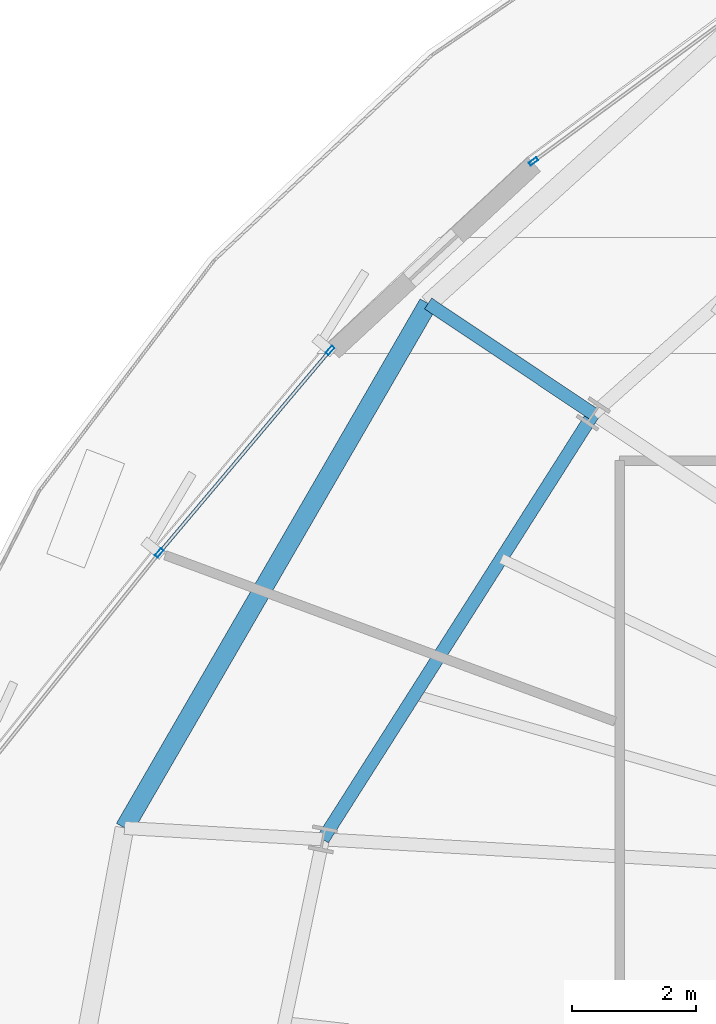
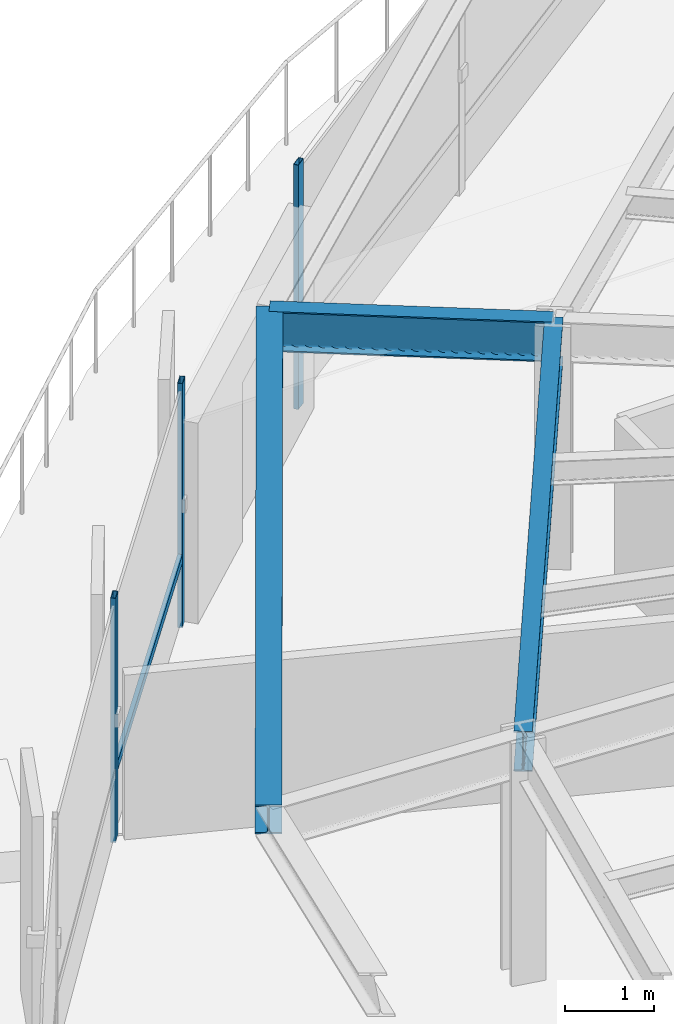
# One storey, part 18 of 35: 4 members, 3 beams, 2 elements without a shape of their own.
"""IFC4 building model written with IfcOpenShell, lengths in metres."""

from ifc_helpers import new_model, si_unit, direction, frame, origin, origin_2d, place, context, subcontext, project, spatial, hollow_rectangle, i_section, extrude, source, transform, mapped, material, layer, layer_set, material_profile, profile_set, type_object, element, aggregate, save


model = new_model("IFC4")

# Units and contexts
model_context = context("Model", 3, precision=1e-05, world=origin(), true_north=direction((0.0, 1.0)))
body_context = subcontext(model_context, "Body", "Model", "MODEL_VIEW")
ifc_project = project(units=[si_unit("LENGTHUNIT", "METRE"), si_unit("AREAUNIT", "SQUARE_METRE"), si_unit("VOLUMEUNIT", "CUBIC_METRE"), si_unit("PLANEANGLEUNIT", "RADIAN"), si_unit("MASSUNIT", "GRAM", prefix="KILO"), si_unit("THERMODYNAMICTEMPERATUREUNIT", "KELVIN")], contexts=[model_context])

# Site, building, storey
site_placement = place(None, origin())
site = spatial("IfcSite", under=ifc_project, at=site_placement, CompositionType="ELEMENT")
building_placement = place(site_placement, origin())
building = spatial("IfcBuilding", under=site, at=building_placement, Name="Kethvar Cultural Tower", CompositionType="ELEMENT")
storey_placement = place(building_placement, frame((0.0, 0.0, 89.199951171875)))
storey = spatial("IfcBuildingStorey", under=building, at=storey_placement, Name="L21", CompositionType="ELEMENT", Elevation=89.199951171875)

# Beams
ifc_material_1 = material(Name="Steel S355J2", Category="steel")
ifc_material_profile_1 = material_profile(ifc_material_1, i_section(OverallWidth=0.2099609375, OverallDepth=0.550048828125, WebThickness=0.010986328125, FlangeThickness=0.01708984375, FilletRadius=0.02392578125, at=origin_2d()), Name="Steel S355J2 — IPE550")
ifc_profile_set_1 = profile_set([ifc_material_profile_1], Name="Steel S355J2 — IPE550")
beam_type_1 = type_object("IfcBeamType", Name="BM-IPE550", PredefinedType="BEAM", material=ifc_profile_set_1)
shared_shape_1 = source(origin(), body_context, "Body", "SweptSolid", [
    extrude(i_section(OverallWidth=0.2099609375, OverallDepth=0.550048828125, WebThickness=0.010986328125, FlangeThickness=0.01708984375, FilletRadius=0.02392578125, at=origin_2d()), origin(), (0.0, 0.0, 1.0), 3.199951171875),
])
beam_1_placement = place(storey_placement, frame((30.345947265625, 38.794189453125, 3.072998046875), z_axis=(-0.831462943996, 0.555580212716, 0.0), x_axis=(-0.555580212716, -0.831462943996, 0.0)))
element("IfcBeam", 1, at=beam_1_placement, inside=storey, type_object=beam_type_1, Name="L21 Perimeter Cantilever Beam RC-07", PredefinedType="BEAM", context=body_context, shape_type="MappedRepresentation", body=[
    mapped(shared_shape_1, transform((0.0, 0.0, 0.0), scale=1.0)),
])
shared_shape_2 = source(origin(), body_context, "Body", "SweptSolid", [
    extrude(i_section(OverallWidth=0.2099609375, OverallDepth=0.550048828125, WebThickness=0.010986328125, FlangeThickness=0.01708984375, FilletRadius=0.02392578125, at=origin_2d()), origin(), (0.0, 0.0, 1.0), 8.122314453125),
])
beam_2_placement = place(storey_placement, frame((30.345947265625, 38.794189453125, 3.072998046875), z_axis=(-0.536478664647, -0.843913883272, 0.0), x_axis=(0.843913883272, -0.536478664647, 0.0)))
element("IfcBeam", 2, at=beam_2_placement, inside=storey, type_object=beam_type_1, Name="L21 Column Ring Tie Beam CR-07", PredefinedType="BEAM", context=body_context, shape_type="MappedRepresentation", body=[
    mapped(shared_shape_2, transform((0.0, 0.0, 0.0), scale=1.0)),
])
ifc_material_profile_2 = material_profile(ifc_material_1, i_section(OverallWidth=0.300048828125, OverallDepth=0.39990234375, WebThickness=0.013427734375, FlangeThickness=0.02392578125, FilletRadius=0.027099609375, at=origin_2d()), Name="Steel S355J2 — HEB400")
ifc_profile_set_2 = profile_set([ifc_material_profile_2], Name="Steel S355J2 — HEB400")
beam_type_2 = type_object("IfcBeamType", Name="BM-SP400", PredefinedType="SPANDREL", material=ifc_profile_set_2)
shared_shape_3 = source(origin(), body_context, "Body", "SweptSolid", [
    extrude(i_section(OverallWidth=0.300048828125, OverallDepth=0.39990234375, WebThickness=0.013427734375, FlangeThickness=0.02392578125, FilletRadius=0.027099609375, at=origin_2d()), origin(), (0.0, 0.0, 1.0), 9.762939453125),
])
beam_3_placement = place(storey_placement, frame((27.685302734375, 40.572021484375, 3.14794921875), z_axis=(-0.501043170838, -0.865422290536, 0.0), x_axis=(0.865422290536, -0.501043170838, 0.0)))
element("IfcBeam", 3, at=beam_3_placement, inside=storey, type_object=beam_type_2, Name="L21 Perimeter Spandrel Beam SP-07", PredefinedType="SPANDREL", context=body_context, shape_type="MappedRepresentation", body=[
    mapped(shared_shape_3, transform((0.0, 0.0, 0.0), scale=1.0)),
])

# Curtain wall, member
ifc_material_2 = material(Name="Aluminium 6063-T6", Category="aluminium")
ifc_layer = layer(ifc_material_2, 0.179931640625, Name="Aluminium 6063-T6", Category="aluminium")
ifc_layer_set = layer_set([ifc_layer], Name="Aluminium 6063-T6 (180 mm)")
curtain_wall_type = type_object("IfcCurtainWallType", Name="CW-SYS-03-Z2", PredefinedType="NOTDEFINED", material=ifc_layer_set)
curtain_wall_1_placement = place(storey_placement, origin())
curtain_wall_1 = element("IfcCurtainWall", 4, at=curtain_wall_1_placement, inside=storey, type_object=curtain_wall_type, Name="L21 Curtain Wall Run 02", PredefinedType="NOTDEFINED")
ifc_material_profile_3 = material_profile(ifc_material_2, hollow_rectangle(XDim=0.06005859375, YDim=0.14990234375, WallThickness=0.0048828125, at=origin_2d()), Name="Aluminium 6063-T6 — RHS150x60x5")
ifc_profile_set_3 = profile_set([ifc_material_profile_3], Name="Aluminium 6063-T6 — RHS150x60x5")
member_type_1 = type_object("IfcMemberType", Name="CW-SYS-03-Z2-MUL", PredefinedType="MULLION", material=ifc_profile_set_3)
shared_shape_4 = source(origin(), body_context, "Body", "SweptSolid", [
    extrude(hollow_rectangle(XDim=0.06005859375, YDim=0.14990234375, WallThickness=0.0048828125, at=origin_2d()), origin(), (0.0, 0.0, 1.0), 3.35009765625),
])
member_1_placement = place(storey_placement, frame((29.38330078125, 42.861572265625, 0.0), z_axis=(0.0, 0.0, 1.0), x_axis=(0.593643632213, -0.80472805216, 0.0)))
member_1 = element("IfcMember", 5, at=member_1_placement, type_object=member_type_1, Name="CW-L21-R02 Mullion 7", PredefinedType="MULLION", context=body_context, shape_type="MappedRepresentation", body=[
    mapped(shared_shape_4, transform((0.0, 0.0, 0.0), scale=1.0)),
])
aggregate(curtain_wall_1, [member_1])

# Curtain wall, members
curtain_wall_2_placement = place(storey_placement, origin())
curtain_wall_2 = element("IfcCurtainWall", 6, at=curtain_wall_2_placement, inside=storey, type_object=curtain_wall_type, Name="L21 Curtain Wall Run 03", PredefinedType="NOTDEFINED")
member_2_placement = place(storey_placement, frame((26.104248046875, 39.81640625, 0.0), z_axis=(0.0, 0.0, 1.0), x_axis=(0.764370259431, -0.644777563581, 0.0)))
member_2 = element("IfcMember", 7, at=member_2_placement, type_object=member_type_1, Name="CW-L21-R03 Mullion 1", PredefinedType="MULLION", context=body_context, shape_type="MappedRepresentation", body=[
    mapped(shared_shape_4, transform((0.0, 0.0, 0.0), scale=1.0)),
])
member_3_placement = place(storey_placement, frame((23.3515625, 36.55322265625, 0.0), z_axis=(0.0, 0.0, 1.0), x_axis=(0.780375841652, -0.625310759356, 0.0)))
member_3 = element("IfcMember", 8, at=member_3_placement, type_object=member_type_1, Name="CW-L21-R03 Mullion 2", PredefinedType="MULLION", context=body_context, shape_type="MappedRepresentation", body=[
    mapped(shared_shape_4, transform((0.0, 0.0, 0.0), scale=1.0)),
])
ifc_material_profile_4 = material_profile(ifc_material_2, hollow_rectangle(XDim=0.054931640625, YDim=0.1201171875, WallThickness=0.00390625, at=origin_2d()), Name="Aluminium 6063-T6 — RHS120x55x4")
ifc_profile_set_4 = profile_set([ifc_material_profile_4], Name="Aluminium 6063-T6 — RHS120x55x4")
member_type_2 = type_object("IfcMemberType", Name="CW-SYS-03-Z2-TRN", PredefinedType="USERDEFINED", material=ifc_profile_set_4)
shared_shape_5 = source(origin(), body_context, "Body", "SweptSolid", [
    extrude(hollow_rectangle(XDim=0.054931640625, YDim=0.1201171875, WallThickness=0.00390625, at=origin_2d()), origin(), (0.0, 0.0, 1.0), 4.224365234375),
])
member_4_placement = place(storey_placement, frame((26.101318359375, 39.81298828125, 0.949951171875), z_axis=(-0.644754881312, -0.764389392276, 0.0), x_axis=(0.764389392276, -0.644754881312, 0.0)))
member_4 = element("IfcMember", 9, at=member_4_placement, type_object=member_type_2, Name="CW-L21-R03 Transom 1", ObjectType="TRANSOM", PredefinedType="USERDEFINED", context=body_context, shape_type="MappedRepresentation", body=[
    mapped(shared_shape_5, transform((0.0, 0.0, 0.0), scale=1.0)),
])
aggregate(curtain_wall_2, [member_2, member_3, member_4])

save(model, "model.ifc")
